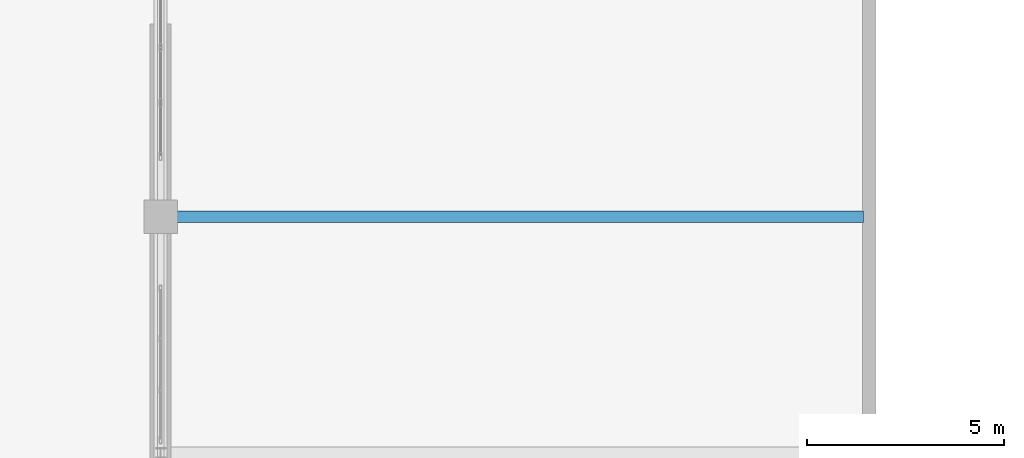
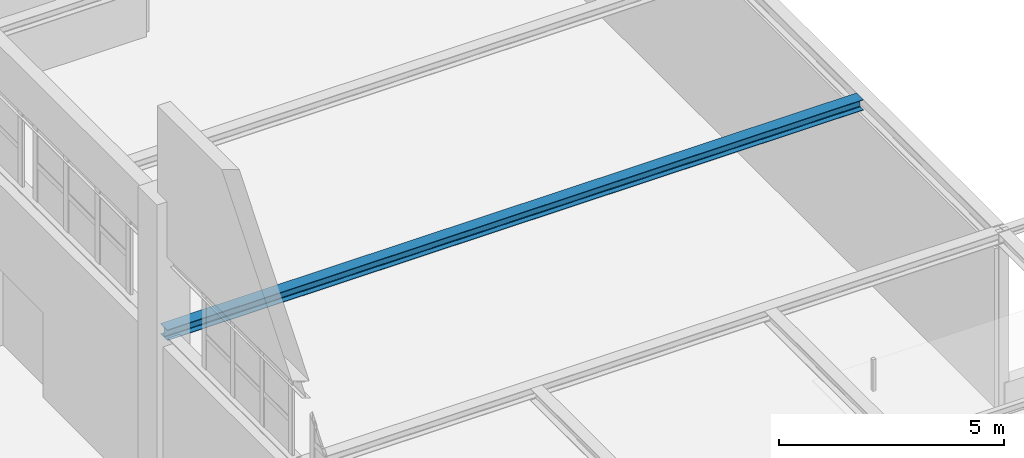
# One storey, part 27 of 97: 1 beam.
"""IFC4 building model written with IfcOpenShell, lengths in metres."""

from ifc_helpers import new_model, si_unit, derived_unit, direction, frame, origin, origin_2d, place, context, subcontext, project, spatial, i_section, extrude, material, material_profile, profile_set, type_object, element, save


model = new_model("IFC4")

# Units and contexts
model_context = context("Model", 3, precision=1e-05, world=origin(), true_north=direction((0.0, 1.0)))
body_context = subcontext(model_context, "Body", "Model", "MODEL_VIEW")
ifc_project = project(units=[si_unit("LENGTHUNIT", "METRE"), si_unit("AREAUNIT", "SQUARE_METRE"), si_unit("VOLUMEUNIT", "CUBIC_METRE"), si_unit("PLANEANGLEUNIT", "RADIAN"), si_unit("MASSUNIT", "GRAM", prefix="KILO"), derived_unit("THERMALTRANSMITTANCEUNIT", [(si_unit("POWERUNIT", "WATT"), 1), (si_unit("LENGTHUNIT", "METRE"), -2), (si_unit("THERMODYNAMICTEMPERATUREUNIT", "KELVIN"), -1)])], contexts=[model_context])

# Site, building, storey
site_placement = place(None, origin())
site = spatial("IfcSite", under=ifc_project, at=site_placement, CompositionType="ELEMENT")
building_placement = place(site_placement, origin())
building = spatial("IfcBuilding", under=site, at=building_placement, Name="Almenara Railside Exhibition Hall", CompositionType="ELEMENT")
storey_placement = place(building_placement, frame((0.0, 0.0, 10.800048828125)))
storey = spatial("IfcBuildingStorey", under=building, at=storey_placement, Name="L02", CompositionType="ELEMENT", Elevation=10.800048828125)

# Beam
ifc_material = material(Name="Structural steel S355JR", Category="steel")
ifc_material_profile = material_profile(ifc_material, i_section(OverallWidth=0.300048828125, OverallDepth=0.2900390625, WebThickness=0.008544921875, FlangeThickness=0.013916015625, FilletRadius=0.027099609375, at=origin_2d()), Name="HEA 300")
ifc_profile_set = profile_set([ifc_material_profile], Name="Structural steel S355JR")
beam_type = type_object("IfcBeamType", Name="Steel Concourse Tie Beam HEA 300 S355JR", PredefinedType="BEAM", material=ifc_profile_set)
beam_placement = place(storey_placement, frame((66.0, 60.0, 4.65087890625), z_axis=(1.0, 0.0, 0.0), x_axis=(0.0, 1.0, 0.0)))
element("IfcBeam", 1, at=beam_placement, inside=storey, type_object=beam_type, Name="Beam 0834", PredefinedType="BEAM", context=body_context, shape_type="SweptSolid", body=[
    extrude(i_section(OverallWidth=0.300048828125, OverallDepth=0.2900390625, WebThickness=0.008544921875, FlangeThickness=0.013916015625, FilletRadius=0.027099609375, at=origin_2d()), origin(), (0.0, 0.0, 1.0), 17.85009765625),
])

save(model, "model.ifc")
